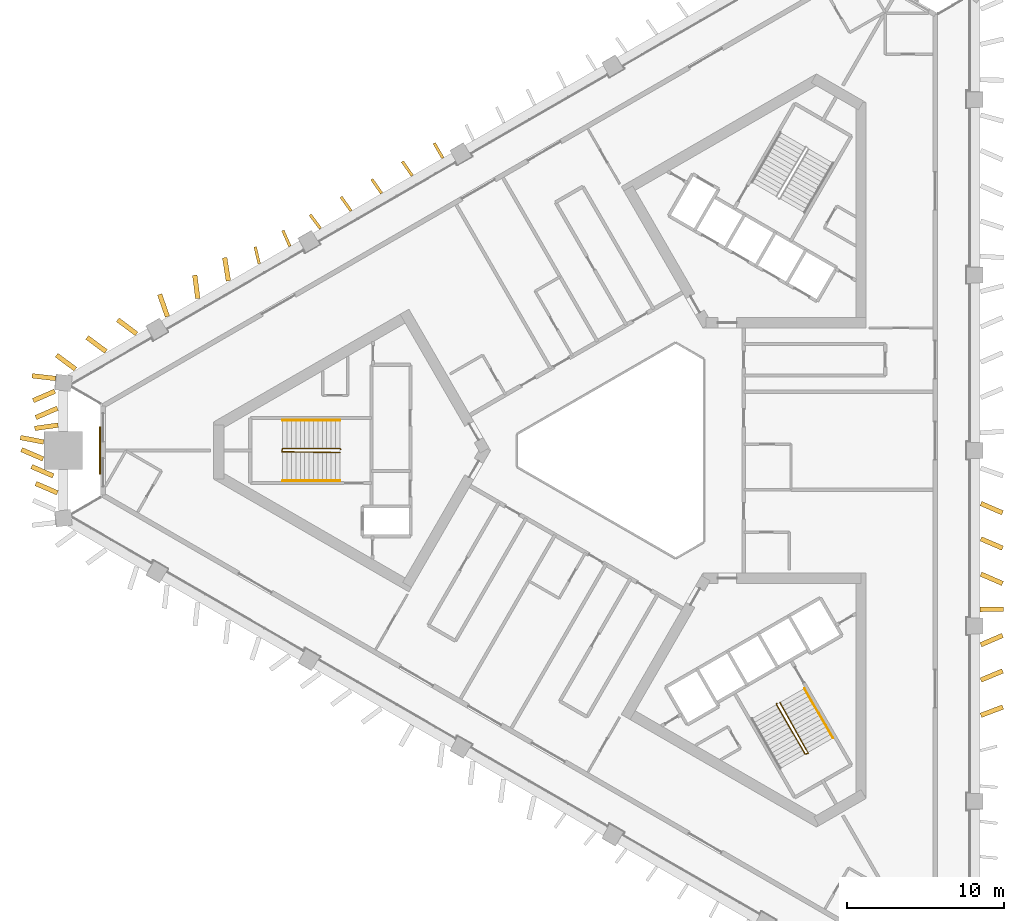
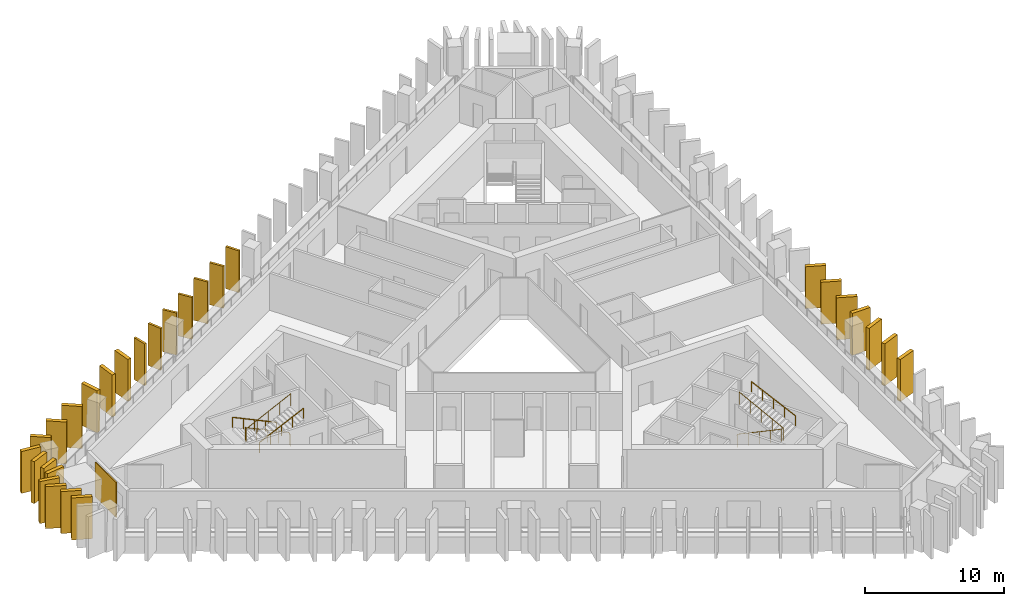
# One storey, part 8 of 10: 28 shading devices, 5 railings, 1 covering.
"""IFC4 building model written with IfcOpenShell, lengths in metres."""

import ifcopenshell
import ifcopenshell.guid

model = None  # the IFC model being written
_history = None  # IfcOwnerHistory: only IFC2X3 demands one
_inside = {}  # id of a spatial element -> (the spatial element, [elements in it])
_under = {}  # id of a project, library or spatial element -> (it, [spatial elements below it])
_declared = {}  # id of a project -> (the project, [libraries it declares])
_typed = {}  # id of a type object -> (the type object, [elements of that type])
_made_of = {}  # id of a material, layer set ... -> (it, [elements and type objects made of it])


def new_model(schema):
    """Start an empty IFC model of exactly this schema.

    Asked for "IFC4X3", IfcOpenShell would pick the latest addendum, in which some entities
    have other attributes; the version numbers below select the first issue.
    IFC2X3 requires an IfcOwnerHistory on every rooted entity: one is made here for all.
    """
    global model, _history
    if schema == "IFC4X3":
        model = ifcopenshell.file(schema_version=(4, 3, 0, 0))
    else:
        model = ifcopenshell.file(schema=schema)
    _inside.clear()
    _under.clear()
    _declared.clear()
    _typed.clear()
    _made_of.clear()
    _history = None
    if model.schema == "IFC2X3":
        org = make("IfcOrganization", Name="unknown")
        user = make(
            "IfcPersonAndOrganization",
            ThePerson=make("IfcPerson", FamilyName="unknown"),
            TheOrganization=org,
        )
        app = make(
            "IfcApplication",
            ApplicationDeveloper=org,
            Version="unknown",
            ApplicationFullName="unknown",
            ApplicationIdentifier="unknown",
        )
        _history = make(
            "IfcOwnerHistory",
            OwningUser=user,
            OwningApplication=app,
            ChangeAction="ADDED",
            CreationDate=0,
        )
    return model


def make(cls, **values):
    """One entity of the class cls with the attributes given. An attribute that is None is left unset."""
    return model.create_entity(
        cls, **{name: value for name, value in values.items() if value is not None}
    )


def rooted(cls, **values):
    """An entity with a GlobalId (a new one), such as an element, a storey or a relation."""
    return make(cls, GlobalId=ifcopenshell.guid.new(), OwnerHistory=_history, **values)


def si_unit(unit_type, name, prefix=None):
    """IfcSIUnit, for example si_unit("LENGTHUNIT", "METRE", prefix="MILLI")."""
    return make("IfcSIUnit", UnitType=unit_type, Prefix=prefix, Name=name)


def assignment(units):
    """IfcUnitAssignment: the units of a project."""
    return None if units is None else make("IfcUnitAssignment", Units=units)


def point(xyz):
    """IfcCartesianPoint."""
    return None if xyz is None else make("IfcCartesianPoint", Coordinates=xyz)


def direction(xyz):
    """IfcDirection."""
    return None if xyz is None else make("IfcDirection", DirectionRatios=xyz)


def frame(location, z_axis=None, x_axis=None):
    """IfcAxis2Placement3D, a coordinate frame: its origin and axes. An axis left out is left unset."""
    return make(
        "IfcAxis2Placement3D",
        Location=point(location),
        Axis=direction(z_axis),
        RefDirection=direction(x_axis),
    )


def frame_2d(location, x_axis=None):
    """IfcAxis2Placement2D, a coordinate frame in the plane: its origin and x axis."""
    return make(
        "IfcAxis2Placement2D", Location=point(location), RefDirection=direction(x_axis)
    )


def origin():
    """The frame at (0, 0, 0) with its axes left unset."""
    return frame((0.0, 0.0, 0.0))


def origin_2d():
    """The frame at (0, 0) in the plane with its x axis left unset."""
    return frame_2d((0.0, 0.0))


def place(relative_to, where):
    """IfcLocalPlacement: puts the frame where relative to a parent placement (None: the world)."""
    return make(
        "IfcLocalPlacement", PlacementRelTo=relative_to, RelativePlacement=where
    )


def context(
    kind, dimensions, precision=None, world=None, true_north=None, identifier=None
):
    """IfcGeometricRepresentationContext, for example the 3D "Model" context."""
    return make(
        "IfcGeometricRepresentationContext",
        ContextIdentifier=identifier,
        ContextType=kind,
        CoordinateSpaceDimension=dimensions,
        Precision=precision,
        WorldCoordinateSystem=world,
        TrueNorth=true_north,
    )


def subcontext(parent, identifier, kind, view, scale=None):
    """IfcGeometricRepresentationSubContext, for example "Body" below "Model"."""
    return make(
        "IfcGeometricRepresentationSubContext",
        ContextIdentifier=identifier,
        ContextType=kind,
        ParentContext=parent,
        TargetScale=scale,
        TargetView=view,
    )


def project(units=None, contexts=None):
    """IfcProject with its units and contexts."""
    return rooted(
        "IfcProject",
        Name="project",
        RepresentationContexts=contexts,
        UnitsInContext=assignment(units),
    )


def spatial(cls, under=None, at=None, **own):
    """A site, building, storey or space (cls), placed at a placement, below another one or the project."""
    s = rooted(cls, ObjectPlacement=at, **own)
    if under is not None:
        _under.setdefault(under.id(), (under, []))[1].append(s)
    return s


def profile(cls, at=None, kind="AREA", **sizes):
    """A parametric profile (cls). Its sizes go by their IFC names, for example OverallWidth=200.0."""
    return make(cls, ProfileType=kind, Position=at, **sizes)


def rectangle(**sizes):
    """IfcRectangleProfileDef."""
    return profile("IfcRectangleProfileDef", **sizes)


def circle(**sizes):
    """IfcCircleProfileDef."""
    return profile("IfcCircleProfileDef", **sizes)


def extrude(swept, where, along, depth):
    """IfcExtrudedAreaSolid: the profile swept, set in the frame where, extruded along a direction by depth."""
    return make(
        "IfcExtrudedAreaSolid",
        SweptArea=swept,
        Position=where,
        ExtrudedDirection=direction(along),
        Depth=depth,
    )


def shape(context_of_items, identifier, shape_type, items):
    """IfcShapeRepresentation: the items that make up one representation, for example the "Body"."""
    return make(
        "IfcShapeRepresentation",
        ContextOfItems=context_of_items,
        RepresentationIdentifier=identifier,
        RepresentationType=shape_type,
        Items=items,
    )


def material(Name=None, Category=None):
    """IfcMaterial."""
    return make("IfcMaterial", Name=Name, Category=Category)


def layer(
    of_material, thickness, ventilated=None, Name=None, Category=None, Priority=None
):
    """IfcMaterialLayer: one layer of a wall or slab, of a material (None: an air gap)."""
    return make(
        "IfcMaterialLayer",
        Material=of_material,
        LayerThickness=thickness,
        IsVentilated=ventilated,
        Name=Name,
        Category=Category,
        Priority=Priority,
    )


def layer_set(layers, Name=None):
    """IfcMaterialLayerSet."""
    return make("IfcMaterialLayerSet", MaterialLayers=layers, LayerSetName=Name)


def made_of(thing, what):
    """Note that an element or type object is made of a material, layer set ...; save() writes the relation."""
    if what is not None:
        _made_of.setdefault(what.id(), (what, []))[1].append(thing)
    return thing


def type_object(cls, material=None, **own):
    """A type object (cls), such as IfcWallType, which elements share."""
    return made_of(rooted(cls, **own), material)


def element(
    cls,
    number,
    at=None,
    inside=None,
    cuts=None,
    type_object=None,
    material=None,
    context=None,
    identifier="Body",
    shape_type=None,
    held_by="IfcProductDefinitionShape",
    body=None,
    shapes=None,
    **own,
):
    """One element of the class cls, such as IfcWall. Its Tag is "e" and its number.

    at: its placement. inside: the storey or other place that contains it. cuts: it is an
    opening in that element (IfcRelVoidsElement). A single representation is given by context,
    identifier, shape_type and body (its items); several are given by shapes. held_by: the class
    of the entity that holds the representations. save() writes the other relations.
    """
    e = rooted(cls, Tag="e%d" % number, ObjectPlacement=at, **own)
    if body is not None:
        shapes = [shape(context, identifier, shape_type, body)]
    if shapes is not None:
        e.Representation = make(held_by, Representations=shapes)
    if inside is not None:
        _inside.setdefault(inside.id(), (inside, []))[1].append(e)
    if cuts is not None:
        rooted(
            "IfcRelVoidsElement", RelatingBuildingElement=cuts, RelatedOpeningElement=e
        )
    if type_object is not None:
        _typed.setdefault(type_object.id(), (type_object, []))[1].append(e)
    return made_of(e, material)


def aggregate(whole, parts):
    """IfcRelAggregates: a whole, such as a stair, and the parts it consists of."""
    return rooted("IfcRelAggregates", RelatingObject=whole, RelatedObjects=parts)


def save(model, path):
    """Write the relations noted so far, then the file.

    IfcRelAggregates (storeys below a building ...), IfcRelContainedInSpatialStructure (elements
    in a storey), IfcRelDefinesByType, IfcRelAssociatesMaterial and IfcRelDeclares: one each for
    every whole, place, type object, material and project.
    """
    for whole, parts in _under.values():
        aggregate(whole, parts)
    for where, things in _inside.values():
        rooted(
            "IfcRelContainedInSpatialStructure",
            RelatedElements=things,
            RelatingStructure=where,
        )
    for kind, things in _typed.values():
        rooted("IfcRelDefinesByType", RelatedObjects=things, RelatingType=kind)
    for what, things in _made_of.values():
        rooted("IfcRelAssociatesMaterial", RelatedObjects=things, RelatingMaterial=what)
    for by, libraries in _declared.values():
        rooted("IfcRelDeclares", RelatingContext=by, RelatedDefinitions=libraries)
    model.write(path)


model = new_model("IFC4")

# Units and contexts
model_context = context("Model", 3, precision=1e-05, world=origin(), true_north=direction((0.0, 1.0)))
body_context = subcontext(model_context, "Body", "Model", "MODEL_VIEW")
ifc_project = project(units=[si_unit("LENGTHUNIT", "METRE"), si_unit("AREAUNIT", "SQUARE_METRE"), si_unit("VOLUMEUNIT", "CUBIC_METRE"), si_unit("PLANEANGLEUNIT", "RADIAN"), si_unit("MASSUNIT", "GRAM", prefix="KILO")], contexts=[model_context])

# Site, building, storey
site_placement = place(None, origin())
site = spatial("IfcSite", under=ifc_project, at=site_placement, CompositionType="ELEMENT")
building_placement = place(site_placement, origin())
building = spatial("IfcBuilding", under=site, at=building_placement, Name="Jabali Bay Hotel Tower and Convention Centre", CompositionType="ELEMENT")
storey_placement = place(building_placement, frame((0.0, 0.0, 140.10009765625)))
storey = spatial("IfcBuildingStorey", under=building, at=storey_placement, Name="L34", CompositionType="ELEMENT", Elevation=140.10009765625)

# Shading devices
ifc_material_1 = material(Name="Precast concrete C60", Category="concrete")
ifc_layer_1 = layer(ifc_material_1, 0.179931640625)
ifc_layer_set_1 = layer_set([ifc_layer_1], Name="Precast concrete C60")
shading_device_type_1 = type_object("IfcShadingDeviceType", Name="Precast fin 3680 x 1100", PredefinedType="USERDEFINED", material=ifc_layer_set_1)
shading_device_1_placement = place(storey_placement, frame((62.9677734375, 98.594970703125, 0.010009765625), z_axis=(0.0, 0.0, 1.0), x_axis=(-0.501578583519, 0.865112087856, 0.0)))
element("IfcShadingDevice", 1, at=shading_device_1_placement, inside=storey, type_object=shading_device_type_1, Name="Fin L34 047", ObjectType="FIN", PredefinedType="USERDEFINED", context=body_context, shape_type="SweptSolid", body=[
    extrude(rectangle(XDim=1.10009765625, YDim=0.179931640625, at=frame_2d((0.550048828125, 0.0))), origin(), (0.0, 0.0, 1.0), 3.679931640625),
])
shading_device_2_placement = place(storey_placement, frame((61.01953125, 97.478759765625, 0.010009765625), z_axis=(0.0, 0.0, 1.0), x_axis=(-0.570882381721, 0.821031854583, 0.0)))
element("IfcShadingDevice", 2, at=shading_device_2_placement, inside=storey, type_object=shading_device_type_1, Name="Fin L34 048", ObjectType="FIN", PredefinedType="USERDEFINED", context=body_context, shape_type="SweptSolid", body=[
    extrude(rectangle(XDim=1.099853515625, YDim=0.179931640625, at=frame_2d((0.5498046875, 0.0))), origin(), (0.0, 0.0, 1.0), 3.679931640625),
])
shading_device_3_placement = place(storey_placement, frame((59.074951171875, 96.356201171875, 0.010009765625), z_axis=(0.0, 0.0, 1.0), x_axis=(-0.573507030513, 0.819200638399, 0.0)))
element("IfcShadingDevice", 3, at=shading_device_3_placement, inside=storey, type_object=shading_device_type_1, Name="Fin L34 049", ObjectType="FIN", PredefinedType="USERDEFINED", context=body_context, shape_type="SweptSolid", body=[
    extrude(rectangle(XDim=1.10009765625, YDim=0.179931640625, at=frame_2d((0.550048828125, 0.0))), origin(), (0.0, 0.0, 1.0), 3.679931640625),
])
shading_device_4_placement = place(storey_placement, frame((57.130126953125, 95.234375, 0.010009765625), z_axis=(0.0, 0.0, 1.0), x_axis=(-0.580650145153, 0.814153185177, 0.0)))
element("IfcShadingDevice", 4, at=shading_device_4_placement, inside=storey, type_object=shading_device_type_1, Name="Fin L34 050", ObjectType="FIN", PredefinedType="USERDEFINED", context=body_context, shape_type="SweptSolid", body=[
    extrude(rectangle(XDim=1.099853515625, YDim=0.179931640625, at=frame_2d((0.5498046875, 0.0))), origin(), (0.0, 0.0, 1.0), 3.679931640625),
])
for number, where, z_axis, x_axis, name in (
    (5, (55.1845703125, 94.11328125, 0.010009765625), (0.0, 0.0, 1.0), (-0.598507681452, 0.801117067127, 0.0), "Fin L34 051"),
    (6, (53.24072265625, 92.989501953125, 0.010009765625), (0.0, 0.0, 1.0), (-0.407270764725, 0.91330746422, 0.0), "Fin L34 052"),
    (7, (51.2880859375, 91.881103515625, 0.010009765625), (0.0, 0.0, 1.0), (-0.232600596862, 0.972572342985, 0.0), "Fin L34 053"),
):
    element("IfcShadingDevice", number, at=place(storey_placement, frame(where, z_axis=z_axis, x_axis=x_axis)), inside=storey, type_object=shading_device_type_1, Name=name, ObjectType="FIN", PredefinedType="USERDEFINED", context=body_context, shape_type="SweptSolid", body=[
        extrude(rectangle(XDim=1.10009765625, YDim=0.179931640625, at=frame_2d((0.550048828125, 0.0))), origin(), (0.0, 0.0, 1.0), 3.679931640625),
    ])
ifc_layer_2 = layer(ifc_material_1, 0.300048828125)
ifc_layer_set_2 = layer_set([ifc_layer_2], Name="Precast concrete C60")
shading_device_type_2 = type_object("IfcShadingDeviceType", Name="Precast fin 3680 x 1500", PredefinedType="USERDEFINED", material=ifc_layer_set_2)
for number, where, z_axis, x_axis, name in (
    (8, (97.1728515625, 63.159912109375, 0.010009765625), (0.0, 0.0, 1.0), (0.935058928153, 0.354492314276, 0.0), "Fin L34 005"),
    (9, (97.177490234375, 65.4052734375, 0.010009765625), (0.0, 0.0, 1.0), (0.92273464817, 0.385435817052, 0.0), "Fin L34 006"),
    (10, (97.1787109375, 67.650634765625, 0.010009765625), (0.0, 0.0, 1.0), (0.919010268478, 0.394233593739, 0.0), "Fin L34 007"),
):
    element("IfcShadingDevice", number, at=place(storey_placement, frame(where, z_axis=z_axis, x_axis=x_axis)), inside=storey, type_object=shading_device_type_2, Name=name, ObjectType="FIN", PredefinedType="USERDEFINED", context=body_context, shape_type="SweptSolid", body=[
        extrude(rectangle(XDim=1.5, YDim=0.300048828125, at=frame_2d((0.75, 0.0))), origin(), (0.0, 0.0, 1.0), 3.679931640625),
    ])
shading_device_5_placement = place(storey_placement, frame((97.12158203125, 69.89599609375, 0.010009765625), z_axis=(0.0, 0.0, 1.0), x_axis=(0.999913107755, 0.013182448198, 0.0)))
element("IfcShadingDevice", 11, at=shading_device_5_placement, inside=storey, type_object=shading_device_type_2, Name="Fin L34 008", ObjectType="FIN", PredefinedType="USERDEFINED", context=body_context, shape_type="SweptSolid", body=[
    extrude(rectangle(XDim=1.500244140625, YDim=0.300048828125, at=frame_2d((0.75, 0.0))), origin(), (0.0, 0.0, 1.0), 3.679931640625),
])
for number, where, z_axis, x_axis, name in (
    (12, (97.17919921875, 72.141357421875, 0.010009765625), (0.0, 0.0, 1.0), (0.917767272696, -0.397118663837, 0.0), "Fin L34 009"),
    (13, (97.17919921875, 74.38671875, 0.010009765625), (0.0, 0.0, 1.0), (0.917682260148, -0.39731507574, 0.0), "Fin L34 010"),
    (14, (97.17919921875, 76.632080078125, 0.010009765625), (0.0, 0.0, 1.0), (0.917682260148, -0.39731507574, 0.0), "Fin L34 011"),
):
    element("IfcShadingDevice", number, at=place(storey_placement, frame(where, z_axis=z_axis, x_axis=x_axis)), inside=storey, type_object=shading_device_type_2, Name=name, ObjectType="FIN", PredefinedType="USERDEFINED", context=body_context, shape_type="SweptSolid", body=[
        extrude(rectangle(XDim=1.5, YDim=0.300048828125, at=frame_2d((0.75, 0.0))), origin(), (0.0, 0.0, 1.0), 3.679931640625),
    ])
shading_device_6_placement = place(storey_placement, frame((49.329345703125, 90.78271484375, 0.010009765625), z_axis=(0.0, 0.0, 1.0), x_axis=(-0.156263479016, 0.98771540695, 0.0)))
element("IfcShadingDevice", 15, at=shading_device_6_placement, inside=storey, type_object=shading_device_type_2, Name="Fin L34 054", ObjectType="FIN", PredefinedType="USERDEFINED", context=body_context, shape_type="SweptSolid", body=[
    extrude(rectangle(XDim=1.499755859375, YDim=0.300048828125, at=frame_2d((0.75, 0.0))), origin(), (0.0, 0.0, 1.0), 3.679931640625),
])
shading_device_7_placement = place(storey_placement, frame((47.3828125, 89.66357421875, 0.010009765625), z_axis=(0.0, 0.0, 1.0), x_axis=(-0.12629795976, 0.991992351463, 0.0)))
element("IfcShadingDevice", 16, at=shading_device_7_placement, inside=storey, type_object=shading_device_type_2, Name="Fin L34 055", ObjectType="FIN", PredefinedType="USERDEFINED", context=body_context, shape_type="SweptSolid", body=[
    extrude(rectangle(XDim=1.5, YDim=0.300048828125, at=frame_2d((0.75, 0.0))), origin(), (0.0, 0.0, 1.0), 3.679931640625),
])
shading_device_8_placement = place(storey_placement, frame((45.453125, 88.51513671875, 0.010009765625), z_axis=(0.0, 0.0, 1.0), x_axis=(-0.329625258633, 0.944111851886, 0.0)))
element("IfcShadingDevice", 17, at=shading_device_8_placement, inside=storey, type_object=shading_device_type_2, Name="Fin L34 056", ObjectType="FIN", PredefinedType="USERDEFINED", context=body_context, shape_type="SweptSolid", body=[
    extrude(rectangle(XDim=1.499755859375, YDim=0.300048828125, at=frame_2d((0.75, 0.0))), origin(), (0.0, 0.0, 1.0), 3.679931640625),
])
shading_device_9_placement = place(storey_placement, frame((43.492919921875, 87.419677734375, 0.010009765625), z_axis=(0.0, 0.0, 1.0), x_axis=(-0.802454347107, 0.59671351653, 0.0)))
element("IfcShadingDevice", 18, at=shading_device_9_placement, inside=storey, type_object=shading_device_type_2, Name="Fin L34 057", ObjectType="FIN", PredefinedType="USERDEFINED", context=body_context, shape_type="SweptSolid", body=[
    extrude(rectangle(XDim=1.5, YDim=0.300048828125, at=frame_2d((0.75, 0.0))), origin(), (0.0, 0.0, 1.0), 3.679931640625),
])
for number, where, z_axis, x_axis, name in (
    (19, (41.54833984375, 86.297119140625, 0.010009765625), (0.0, 0.0, 1.0), (-0.802803953143, 0.596243081988, 0.0), "Fin L34 058"),
    (20, (39.603759765625, 85.17431640625, 0.010009765625), (0.0, 0.0, 1.0), (-0.802803953143, 0.596243081988, 0.0), "Fin L34 059"),
):
    element("IfcShadingDevice", number, at=place(storey_placement, frame(where, z_axis=z_axis, x_axis=x_axis)), inside=storey, type_object=shading_device_type_2, Name=name, ObjectType="FIN", PredefinedType="USERDEFINED", context=body_context, shape_type="SweptSolid", body=[
        extrude(rectangle(XDim=1.499755859375, YDim=0.300048828125, at=frame_2d((0.75, 0.0))), origin(), (0.0, 0.0, 1.0), 3.679931640625),
    ])
for number, where, z_axis, x_axis, name in (
    (21, (38.296142578125, 83.769775390625, 0.010009765625), (0.0, 0.0, 1.0), (-0.917682260148, -0.39731507574, 0.0), "Fin L34 060"),
    (22, (38.461181640625, 82.692626953125, 0.010009765625), (0.0, 0.0, 1.0), (-0.917682260148, -0.39731507574, 0.0), "Fin L34 061"),
    (23, (38.499755859375, 81.615478515625, 0.010009765625), (0.0, 0.0, 1.0), (-0.99010837509, -0.140304688365, 0.0), "Fin L34 062"),
    (24, (37.57958984375, 80.53857421875, 0.010009765625), (0.0, 0.0, 1.0), (-0.981385987199, 0.192045682404, 0.0), "Fin L34 063"),
):
    element("IfcShadingDevice", number, at=place(storey_placement, frame(where, z_axis=z_axis, x_axis=x_axis)), inside=storey, type_object=shading_device_type_2, Name=name, ObjectType="FIN", PredefinedType="USERDEFINED", context=body_context, shape_type="SweptSolid", body=[
        extrude(rectangle(XDim=1.5, YDim=0.300048828125, at=frame_2d((0.75, 0.0))), origin(), (0.0, 0.0, 1.0), 3.679931640625),
    ])
shading_device_10_placement = place(storey_placement, frame((37.548828125, 79.46142578125, 0.010009765625), z_axis=(0.0, 0.0, 1.0), x_axis=(-0.917707948725, 0.397255737336, 0.0)))
element("IfcShadingDevice", 25, at=shading_device_10_placement, inside=storey, type_object=shading_device_type_2, Name="Fin L34 064", ObjectType="FIN", PredefinedType="USERDEFINED", context=body_context, shape_type="SweptSolid", body=[
    extrude(rectangle(XDim=1.500244140625, YDim=0.300048828125, at=frame_2d((0.75, 0.0))), origin(), (0.0, 0.0, 1.0), 3.679931640625),
])
for number, where, z_axis, x_axis, name in (
    (26, (38.19091796875, 78.384521484375, 0.010009765625), (0.0, 0.0, 1.0), (-0.917767272696, 0.397118663837, 0.0), "Fin L34 065"),
    (27, (38.461181640625, 77.307373046875, 0.010009765625), (0.0, 0.0, 1.0), (-0.917682260148, 0.39731507574, 0.0), "Fin L34 066"),
    (28, (38.336181640625, 84.580322265625, 0.010009765625), (0.0, 0.0, 1.0), (-0.993375389287, 0.114914472364, 0.0), "Fin L34 105"),
):
    element("IfcShadingDevice", number, at=place(storey_placement, frame(where, z_axis=z_axis, x_axis=x_axis)), inside=storey, type_object=shading_device_type_2, Name=name, ObjectType="FIN", PredefinedType="USERDEFINED", context=body_context, shape_type="SweptSolid", body=[
        extrude(rectangle(XDim=1.5, YDim=0.300048828125, at=frame_2d((0.75, 0.0))), origin(), (0.0, 0.0, 1.0), 3.679931640625),
    ])

# Covering
ifc_material_2 = material(Name="Precast concrete C40/50", Category="concrete")
ifc_layer_3 = layer(ifc_material_2, 0.080078125)
ifc_layer_set_3 = layer_set([ifc_layer_3], Name="Precast concrete C40/50")
covering_type = type_object("IfcCoveringType", Name="Relief panel 3000 x 3050", PredefinedType="CLADDING", material=ifc_layer_set_3)
covering_placement = place(storey_placement, frame((41.167724609375, 80.0, 0.10009765625), z_axis=(0.0, 0.0, 1.0), x_axis=(0.0, 1.0, 0.0)))
element("IfcCovering", 29, at=covering_placement, inside=storey, type_object=covering_type, Name="Relief panel L34", PredefinedType="CLADDING", context=body_context, shape_type="SweptSolid", body=[
    extrude(rectangle(XDim=3.0, YDim=0.080078125, at=origin_2d()), origin(), (0.0, 0.0, 1.0), 3.050048828125),
])

# Railings
ifc_material_3 = material(Name="Steel Q355B", Category="steel")
railing_type_1 = type_object("IfcRailingType", Name="Stair guard 1100", PredefinedType="GUARDRAIL", material=ifc_material_3)
railing_1_placement = place(storey_placement, frame((56.469970703125, 80.074951171875, 0.0)))
element("IfcRailing", 30, at=railing_1_placement, inside=storey, type_object=railing_type_1, Name="L34 ST1 stair guard 1", PredefinedType="GUARDRAIL", context=body_context, shape_type="SweptSolid", body=[
    extrude(circle(Radius=0.02392578125, at=origin_2d()), frame((0.0, 0.0, 1.076171875), z_axis=(-0.333993628408, 0.333993628408, 0.881417331555), x_axis=(-0.707106781187, -0.707106781187, 0.0)), (0.0, 0.0, 1.0), 0.14990234375),
    extrude(circle(Radius=0.02392578125, at=origin_2d()), frame((-0.050048828125, 0.050048828125, 1.2080078125), z_axis=(-0.904350763662, 0.0, 0.426789990819), x_axis=(0.0, -1.0, 0.0)), (0.0, 0.0, 1.0), 4.02490234375),
    extrude(circle(Radius=0.02392578125, at=origin_2d()), frame((-3.68994140625, 0.050048828125, 2.92578125), z_axis=(-0.242814311512, -0.970072785993, 0.0), x_axis=(0.970072785993, -0.242814311512, 0.0)), (0.0, 0.0, 1.0), 0.2060546875),
    extrude(circle(Radius=0.02392578125, at=origin_2d()), frame((-3.739990234375, -0.14990234375, 2.92578125), z_axis=(0.893864111827, -0.012124000458, 0.448174026692), x_axis=(0.013562335953, 0.999908027292, 0.0)), (0.0, 0.0, 1.0), 4.128173828125),
    extrude(circle(Radius=0.02099609375, at=origin_2d()), origin(), (0.0, 0.0, 1.0), 1.052001953125),
    extrude(circle(Radius=0.02099609375, at=origin_2d()), frame((-0.050048828125, 0.050048828125, 0.132080078125)), (0.0, 0.0, 1.0), 1.052001953125),
    extrude(circle(Radius=0.02099609375, at=origin_2d()), frame((-0.9599609375, 0.050048828125, 0.5615234375)), (0.0, 0.0, 1.0), 1.052001953125),
    extrude(circle(Radius=0.02099609375, at=origin_2d()), frame((-1.8701171875, 0.050048828125, 0.990966796875)), (0.0, 0.0, 1.0), 1.052001953125),
    extrude(circle(Radius=0.02099609375, at=origin_2d()), frame((-2.780029296875, 0.050048828125, 1.42041015625)), (0.0, 0.0, 1.0), 1.052001953125),
    extrude(circle(Radius=0.02099609375, at=origin_2d()), frame((-3.68994140625, 0.050048828125, 1.849853515625)), (0.0, 0.0, 1.0), 1.052001953125),
    extrude(circle(Radius=0.02099609375, at=origin_2d()), frame((-3.739990234375, -0.14990234375, 1.849853515625)), (0.0, 0.0, 1.0), 1.052001953125),
    extrude(circle(Radius=0.02099609375, at=origin_2d()), frame((-2.8173828125, -0.162353515625, 2.3125)), (0.0, 0.0, 1.0), 1.052001953125),
    extrude(circle(Radius=0.02099609375, at=origin_2d()), frame((-1.89501953125, -0.1748046875, 2.77490234375)), (0.0, 0.0, 1.0), 1.052001953125),
    extrude(circle(Radius=0.02099609375, at=origin_2d()), frame((-0.97265625, -0.1875, 3.2373046875)), (0.0, 0.0, 1.0), 1.052001953125),
    extrude(circle(Radius=0.02099609375, at=origin_2d()), frame((-0.050048828125, -0.199951171875, 3.699951171875)), (0.0, 0.0, 1.0), 1.052001953125),
])
railing_2_placement = place(storey_placement, frame((84.199951171875, 63.9150390625, 0.0)))
element("IfcRailing", 31, at=railing_2_placement, inside=storey, type_object=railing_type_1, Name="L34 ST3 stair guard 1", PredefinedType="GUARDRAIL", context=body_context, shape_type="SweptSolid", body=[
    extrude(circle(Radius=0.02392578125, at=origin_2d()), frame((0.0, 0.0, 1.076171875), z_axis=(-0.122196845461, -0.456201556387, 0.881446578591), x_axis=(0.965948051503, -0.258736085224, 0.0)), (0.0, 0.0, 1.0), 0.14990234375),
    extrude(circle(Radius=0.02392578125, at=origin_2d()), frame((-0.018310546875, -0.068359375, 1.2080078125), z_axis=(0.452190331055, -0.783190014029, 0.426775475427), x_axis=(0.866018046521, 0.500012742938, 0.0)), (0.0, 0.0, 1.0), 4.02490234375),
    extrude(circle(Radius=0.02392578125, at=origin_2d()), frame((1.8017578125, -3.220703125, 2.92578125), z_axis=(0.96121063429, 0.275815366736, 0.0), x_axis=(-0.275815366736, 0.96121063429, 0.0)), (0.0, 0.0, 1.0), 0.206298828125),
    extrude(circle(Radius=0.02392578125, at=origin_2d()), frame((2.0, -3.163818359375, 2.92578125), z_axis=(-0.436470229993, 0.780146179382, 0.448180406895), x_axis=(-0.872702246529, -0.488252792008, 0.0)), (0.0, 0.0, 1.0), 4.1279296875),
    extrude(circle(Radius=0.02099609375, at=origin_2d()), origin(), (0.0, 0.0, 1.0), 1.052001953125),
    extrude(circle(Radius=0.02099609375, at=origin_2d()), frame((-0.018310546875, -0.068359375, 0.132080078125)), (0.0, 0.0, 1.0), 1.052001953125),
    extrude(circle(Radius=0.02099609375, at=origin_2d()), frame((0.436767578125, -0.8564453125, 0.5615234375)), (0.0, 0.0, 1.0), 1.052001953125),
    extrude(circle(Radius=0.02099609375, at=origin_2d()), frame((0.8916015625, -1.64453125, 0.990966796875)), (0.0, 0.0, 1.0), 1.052001953125),
    extrude(circle(Radius=0.02099609375, at=origin_2d()), frame((1.3466796875, -2.4326171875, 1.42041015625)), (0.0, 0.0, 1.0), 1.052001953125),
    extrude(circle(Radius=0.02099609375, at=origin_2d()), frame((1.8017578125, -3.220703125, 1.849853515625)), (0.0, 0.0, 1.0), 1.052001953125),
    extrude(circle(Radius=0.02099609375, at=origin_2d()), frame((2.0, -3.163818359375, 1.849853515625)), (0.0, 0.0, 1.0), 1.052001953125),
    extrude(circle(Radius=0.02099609375, at=origin_2d()), frame((1.549560546875, -2.358642578125, 2.3125)), (0.0, 0.0, 1.0), 1.052001953125),
    extrude(circle(Radius=0.02099609375, at=origin_2d()), frame((1.09912109375, -1.5537109375, 2.77490234375)), (0.0, 0.0, 1.0), 1.052001953125),
    extrude(circle(Radius=0.02099609375, at=origin_2d()), frame((0.648681640625, -0.74853515625, 3.2373046875)), (0.0, 0.0, 1.0), 1.052001953125),
    extrude(circle(Radius=0.02099609375, at=origin_2d()), frame((0.1982421875, 0.056640625, 3.699951171875)), (0.0, 0.0, 1.0), 1.052001953125),
])
railing_type_2 = type_object("IfcRailingType", Name="Stair handrail 900", PredefinedType="HANDRAIL", material=ifc_material_3)
railing_3_placement = place(storey_placement, frame((56.419921875, 81.925048828125, 0.132080078125)))
element("IfcRailing", 32, at=railing_3_placement, inside=storey, type_object=railing_type_2, Name="L34 ST1 stair handrail 1", PredefinedType="HANDRAIL", context=body_context, shape_type="SweptSolid", body=[
    extrude(circle(Radius=0.02392578125, at=origin_2d()), frame((0.0, 0.0, 0.8759765625), z_axis=(-0.904350763662, 0.0, 0.426789990819), x_axis=(0.0, -1.0, 0.0)), (0.0, 0.0, 1.0), 4.02490234375),
    extrude(circle(Radius=0.02099609375, at=origin_2d()), origin(), (0.0, 0.0, 1.0), 0.851806640625),
    extrude(circle(Radius=0.02099609375, at=origin_2d()), frame((-0.909912109375, 0.0, 0.429443359375)), (0.0, 0.0, 1.0), 0.851806640625),
    extrude(circle(Radius=0.02099609375, at=origin_2d()), frame((-1.81982421875, 0.0, 0.85888671875)), (0.0, 0.0, 1.0), 0.851806640625),
    extrude(circle(Radius=0.02099609375, at=origin_2d()), frame((-2.72998046875, 0.0, 1.288330078125)), (0.0, 0.0, 1.0), 0.851806640625),
    extrude(circle(Radius=0.02099609375, at=origin_2d()), frame((-3.639892578125, 0.0, 1.7177734375)), (0.0, 0.0, 1.0), 0.851806640625),
])
railing_4_placement = place(storey_placement, frame((52.780029296875, 78.074951171875, 1.98193359375)))
element("IfcRailing", 33, at=railing_4_placement, inside=storey, type_object=railing_type_2, Name="L34 ST1 stair handrail 2", PredefinedType="HANDRAIL", context=body_context, shape_type="SweptSolid", body=[
    extrude(circle(Radius=0.02392578125, at=origin_2d()), frame((0.0, 0.0, 0.8759765625), z_axis=(0.904327350853, 0.0, 0.426839598092), x_axis=(0.0, 1.0, 0.0)), (0.0, 0.0, 1.0), 4.02490234375),
    extrude(circle(Radius=0.02099609375, at=origin_2d()), origin(), (0.0, 0.0, 1.0), 0.851806640625),
    extrude(circle(Radius=0.02099609375, at=origin_2d()), frame((0.909912109375, 0.0, 0.429443359375)), (0.0, 0.0, 1.0), 0.851806640625),
    extrude(circle(Radius=0.02099609375, at=origin_2d()), frame((1.81982421875, 0.0, 0.85888671875)), (0.0, 0.0, 1.0), 0.851806640625),
    extrude(circle(Radius=0.02099609375, at=origin_2d()), frame((2.72998046875, 0.0, 1.28857421875)), (0.0, 0.0, 1.0), 0.851806640625),
    extrude(circle(Radius=0.02099609375, at=origin_2d()), frame((3.639892578125, 0.0, 1.718017578125)), (0.0, 0.0, 1.0), 0.851806640625),
])
railing_5_placement = place(storey_placement, frame((87.777099609375, 61.719482421875, 1.98193359375)))
element("IfcRailing", 34, at=railing_5_placement, inside=storey, type_object=railing_type_2, Name="L34 ST3 stair handrail 2", PredefinedType="HANDRAIL", context=body_context, shape_type="SweptSolid", body=[
    extrude(circle(Radius=0.02392578125, at=origin_2d()), frame((0.0, 0.0, 0.8759765625), z_axis=(-0.45217862506, 0.783169739339, 0.426825081763), x_axis=(-0.866018046521, -0.500012742938, 0.0)), (0.0, 0.0, 1.0), 4.025146484375),
    extrude(circle(Radius=0.02099609375, at=origin_2d()), origin(), (0.0, 0.0, 1.0), 0.851806640625),
    extrude(circle(Radius=0.02099609375, at=origin_2d()), frame((-0.455078125, 0.7880859375, 0.429443359375)), (0.0, 0.0, 1.0), 0.851806640625),
    extrude(circle(Radius=0.02099609375, at=origin_2d()), frame((-0.91015625, 1.576171875, 0.85888671875)), (0.0, 0.0, 1.0), 0.851806640625),
    extrude(circle(Radius=0.02099609375, at=origin_2d()), frame((-1.364990234375, 2.3642578125, 1.28857421875)), (0.0, 0.0, 1.0), 0.851806640625),
    extrude(circle(Radius=0.02099609375, at=origin_2d()), frame((-1.820068359375, 3.15234375, 1.718017578125)), (0.0, 0.0, 1.0), 0.851806640625),
])

save(model, "model.ifc")
